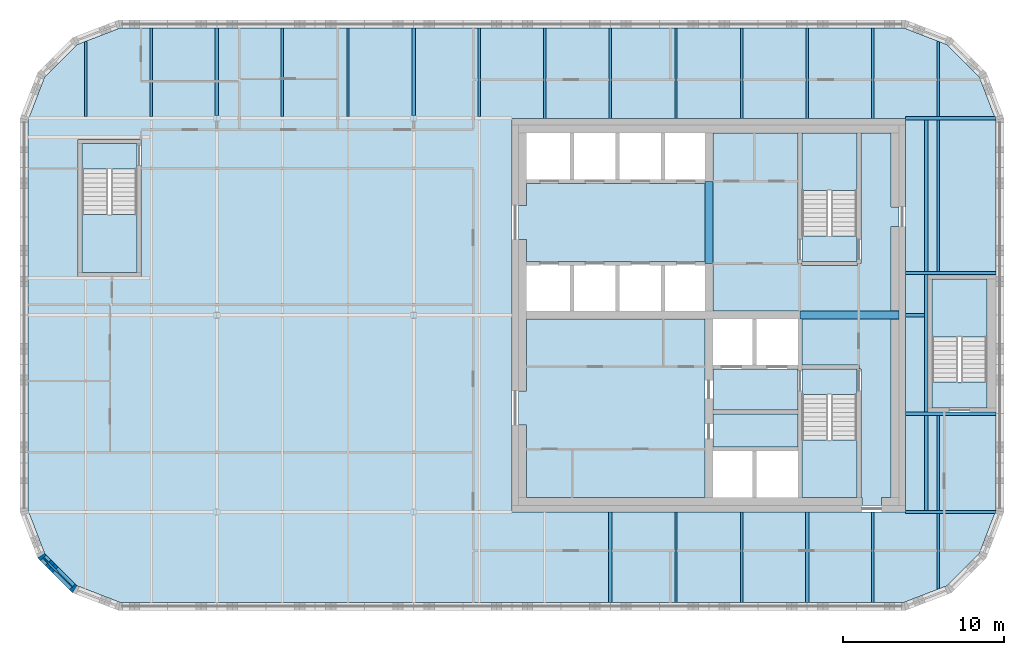
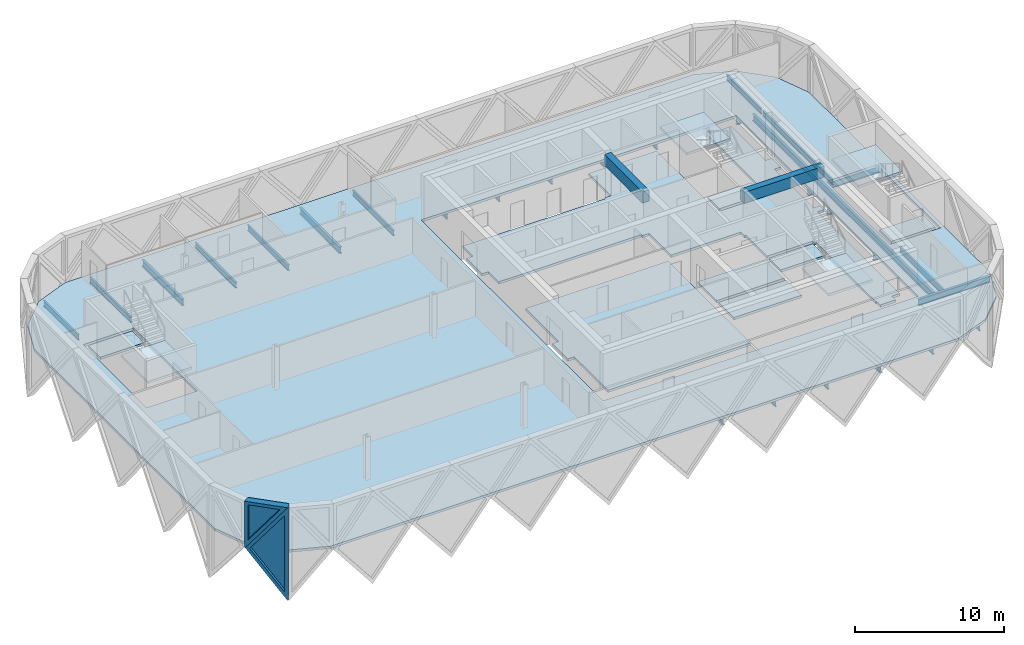
# One storey, part 2 of 12: 30 beams, 13 slabs, 2 plates, 2 walls, 2 openings, 4 elements without a shape of their own.
"""IFC4 building model written with IfcOpenShell, lengths in metres."""

import ifcopenshell
import ifcopenshell.guid

model = None  # the IFC model being written
_history = None  # IfcOwnerHistory: only IFC2X3 demands one
_inside = {}  # id of a spatial element -> (the spatial element, [elements in it])
_under = {}  # id of a project, library or spatial element -> (it, [spatial elements below it])
_declared = {}  # id of a project -> (the project, [libraries it declares])
_typed = {}  # id of a type object -> (the type object, [elements of that type])
_made_of = {}  # id of a material, layer set ... -> (it, [elements and type objects made of it])


def new_model(schema):
    """Start an empty IFC model of exactly this schema.

    Asked for "IFC4X3", IfcOpenShell would pick the latest addendum, in which some entities
    have other attributes; the version numbers below select the first issue.
    IFC2X3 requires an IfcOwnerHistory on every rooted entity: one is made here for all.
    """
    global model, _history
    if schema == "IFC4X3":
        model = ifcopenshell.file(schema_version=(4, 3, 0, 0))
    else:
        model = ifcopenshell.file(schema=schema)
    _inside.clear()
    _under.clear()
    _declared.clear()
    _typed.clear()
    _made_of.clear()
    _history = None
    if model.schema == "IFC2X3":
        org = make("IfcOrganization", Name="unknown")
        user = make(
            "IfcPersonAndOrganization",
            ThePerson=make("IfcPerson", FamilyName="unknown"),
            TheOrganization=org,
        )
        app = make(
            "IfcApplication",
            ApplicationDeveloper=org,
            Version="unknown",
            ApplicationFullName="unknown",
            ApplicationIdentifier="unknown",
        )
        _history = make(
            "IfcOwnerHistory",
            OwningUser=user,
            OwningApplication=app,
            ChangeAction="ADDED",
            CreationDate=0,
        )
    return model


def make(cls, **values):
    """One entity of the class cls with the attributes given. An attribute that is None is left unset."""
    return model.create_entity(
        cls, **{name: value for name, value in values.items() if value is not None}
    )


def rooted(cls, **values):
    """An entity with a GlobalId (a new one), such as an element, a storey or a relation."""
    return make(cls, GlobalId=ifcopenshell.guid.new(), OwnerHistory=_history, **values)


def si_unit(unit_type, name, prefix=None):
    """IfcSIUnit, for example si_unit("LENGTHUNIT", "METRE", prefix="MILLI")."""
    return make("IfcSIUnit", UnitType=unit_type, Prefix=prefix, Name=name)


def assignment(units):
    """IfcUnitAssignment: the units of a project."""
    return None if units is None else make("IfcUnitAssignment", Units=units)


def point(xyz):
    """IfcCartesianPoint."""
    return None if xyz is None else make("IfcCartesianPoint", Coordinates=xyz)


def direction(xyz):
    """IfcDirection."""
    return None if xyz is None else make("IfcDirection", DirectionRatios=xyz)


def frame(location, z_axis=None, x_axis=None):
    """IfcAxis2Placement3D, a coordinate frame: its origin and axes. An axis left out is left unset."""
    return make(
        "IfcAxis2Placement3D",
        Location=point(location),
        Axis=direction(z_axis),
        RefDirection=direction(x_axis),
    )


def frame_2d(location, x_axis=None):
    """IfcAxis2Placement2D, a coordinate frame in the plane: its origin and x axis."""
    return make(
        "IfcAxis2Placement2D", Location=point(location), RefDirection=direction(x_axis)
    )


def origin():
    """The frame at (0, 0, 0) with its axes left unset."""
    return frame((0.0, 0.0, 0.0))


def origin_2d():
    """The frame at (0, 0) in the plane with its x axis left unset."""
    return frame_2d((0.0, 0.0))


def place(relative_to, where):
    """IfcLocalPlacement: puts the frame where relative to a parent placement (None: the world)."""
    return make(
        "IfcLocalPlacement", PlacementRelTo=relative_to, RelativePlacement=where
    )


def context(
    kind, dimensions, precision=None, world=None, true_north=None, identifier=None
):
    """IfcGeometricRepresentationContext, for example the 3D "Model" context."""
    return make(
        "IfcGeometricRepresentationContext",
        ContextIdentifier=identifier,
        ContextType=kind,
        CoordinateSpaceDimension=dimensions,
        Precision=precision,
        WorldCoordinateSystem=world,
        TrueNorth=true_north,
    )


def subcontext(parent, identifier, kind, view, scale=None):
    """IfcGeometricRepresentationSubContext, for example "Body" below "Model"."""
    return make(
        "IfcGeometricRepresentationSubContext",
        ContextIdentifier=identifier,
        ContextType=kind,
        ParentContext=parent,
        TargetScale=scale,
        TargetView=view,
    )


def project(units=None, contexts=None):
    """IfcProject with its units and contexts."""
    return rooted(
        "IfcProject",
        Name="project",
        RepresentationContexts=contexts,
        UnitsInContext=assignment(units),
    )


def spatial(cls, under=None, at=None, **own):
    """A site, building, storey or space (cls), placed at a placement, below another one or the project."""
    s = rooted(cls, ObjectPlacement=at, **own)
    if under is not None:
        _under.setdefault(under.id(), (under, []))[1].append(s)
    return s


def polyline(points):
    """IfcPolyline through the points."""
    return make("IfcPolyline", Points=[point(p) for p in points])


def profile(cls, at=None, kind="AREA", **sizes):
    """A parametric profile (cls). Its sizes go by their IFC names, for example OverallWidth=200.0."""
    return make(cls, ProfileType=kind, Position=at, **sizes)


def rectangle(**sizes):
    """IfcRectangleProfileDef."""
    return profile("IfcRectangleProfileDef", **sizes)


def i_section(**sizes):
    """IfcIShapeProfileDef."""
    return profile("IfcIShapeProfileDef", **sizes)


def outline(outer, holes=None, kind="AREA"):
    """IfcArbitraryClosedProfileDef: a profile drawn as a closed curve; with holes, ...WithVoids."""
    if holes is None:
        return make("IfcArbitraryClosedProfileDef", ProfileType=kind, OuterCurve=outer)
    return make(
        "IfcArbitraryProfileDefWithVoids",
        ProfileType=kind,
        OuterCurve=outer,
        InnerCurves=holes,
    )


def extrude(swept, where, along, depth):
    """IfcExtrudedAreaSolid: the profile swept, set in the frame where, extruded along a direction by depth."""
    return make(
        "IfcExtrudedAreaSolid",
        SweptArea=swept,
        Position=where,
        ExtrudedDirection=direction(along),
        Depth=depth,
    )


def faces_of(points, faces, orient=None, outer=None):
    """IfcFace entities. A face is a list of loops; a loop is a list of indices into points, from 0.

    orient and outer hold one flag for each loop. By default every Orientation is true, the
    first loop of a face is its IfcFaceOuterBound and the others are IfcFaceBound.
    """
    made = []
    for i, loops in enumerate(faces):
        bounds = []
        for j, loop in enumerate(loops):
            is_outer = j == 0 if outer is None else outer[i][j]
            bounds.append(
                make(
                    "IfcFaceOuterBound" if is_outer else "IfcFaceBound",
                    Bound=make("IfcPolyLoop", Polygon=[points[k] for k in loop]),
                    Orientation=True if orient is None else orient[i][j],
                )
            )
        made.append(make("IfcFace", Bounds=bounds))
    return made


def faceted_brep(points, faces, orient=None, outer=None, voids=None):
    """IfcFacetedBrep: a solid bounded by flat faces; with voids (closed shells), ...WithVoids."""
    shared = [point(p) for p in points]
    hull = make("IfcClosedShell", CfsFaces=faces_of(shared, faces, orient, outer))
    if voids is None:
        return make("IfcFacetedBrep", Outer=hull)
    return make(
        "IfcFacetedBrepWithVoids",
        Outer=hull,
        Voids=[
            make(cls, CfsFaces=faces_of(shared, fs, o, b)) for cls, fs, o, b in voids
        ],
    )


def shape(context_of_items, identifier, shape_type, items):
    """IfcShapeRepresentation: the items that make up one representation, for example the "Body"."""
    return make(
        "IfcShapeRepresentation",
        ContextOfItems=context_of_items,
        RepresentationIdentifier=identifier,
        RepresentationType=shape_type,
        Items=items,
    )


def source(mapping_origin, context_of_items, identifier, shape_type, items):
    """IfcRepresentationMap: a shape defined once, which mapped items show again and again."""
    return make(
        "IfcRepresentationMap",
        MappingOrigin=mapping_origin,
        MappedRepresentation=shape(context_of_items, identifier, shape_type, items),
    )


def transform(
    local_origin,
    x_axis=None,
    y_axis=None,
    z_axis=None,
    scale=None,
    scale2=None,
    scale3=None,
    uniform=True,
):
    """IfcCartesianTransformationOperator3D, or its non-uniform kind. x_axis, y_axis, z_axis: its Axis1, 2, 3."""
    if uniform:
        return make(
            "IfcCartesianTransformationOperator3D",
            Axis1=direction(x_axis),
            Axis2=direction(y_axis),
            LocalOrigin=point(local_origin),
            Scale=scale,
            Axis3=direction(z_axis),
        )
    return make(
        "IfcCartesianTransformationOperator3DnonUniform",
        Axis1=direction(x_axis),
        Axis2=direction(y_axis),
        LocalOrigin=point(local_origin),
        Scale=scale,
        Axis3=direction(z_axis),
        Scale2=scale2,
        Scale3=scale3,
    )


def mapped(mapping_source, mapping_target):
    """IfcMappedItem: shows the shape of a source again, moved by a transform."""
    return make(
        "IfcMappedItem", MappingSource=mapping_source, MappingTarget=mapping_target
    )


def material(Name=None, Category=None):
    """IfcMaterial."""
    return make("IfcMaterial", Name=Name, Category=Category)


def layer(
    of_material, thickness, ventilated=None, Name=None, Category=None, Priority=None
):
    """IfcMaterialLayer: one layer of a wall or slab, of a material (None: an air gap)."""
    return make(
        "IfcMaterialLayer",
        Material=of_material,
        LayerThickness=thickness,
        IsVentilated=ventilated,
        Name=Name,
        Category=Category,
        Priority=Priority,
    )


def layer_set(layers, Name=None):
    """IfcMaterialLayerSet."""
    return make("IfcMaterialLayerSet", MaterialLayers=layers, LayerSetName=Name)


def material_profile(
    of_material, cross_section, Name=None, Category=None, Priority=None
):
    """IfcMaterialProfile: a cross section and its material."""
    return make(
        "IfcMaterialProfile",
        Name=Name,
        Material=of_material,
        Profile=cross_section,
        Priority=Priority,
        Category=Category,
    )


def profile_set(profiles, Name=None, composite=None):
    """IfcMaterialProfileSet."""
    return make(
        "IfcMaterialProfileSet",
        Name=Name,
        MaterialProfiles=profiles,
        CompositeProfile=composite,
    )


def made_of(thing, what):
    """Note that an element or type object is made of a material, layer set ...; save() writes the relation."""
    if what is not None:
        _made_of.setdefault(what.id(), (what, []))[1].append(thing)
    return thing


def type_object(cls, material=None, **own):
    """A type object (cls), such as IfcWallType, which elements share."""
    return made_of(rooted(cls, **own), material)


def element(
    cls,
    number,
    at=None,
    inside=None,
    cuts=None,
    type_object=None,
    material=None,
    context=None,
    identifier="Body",
    shape_type=None,
    held_by="IfcProductDefinitionShape",
    body=None,
    shapes=None,
    **own,
):
    """One element of the class cls, such as IfcWall. Its Tag is "e" and its number.

    at: its placement. inside: the storey or other place that contains it. cuts: it is an
    opening in that element (IfcRelVoidsElement). A single representation is given by context,
    identifier, shape_type and body (its items); several are given by shapes. held_by: the class
    of the entity that holds the representations. save() writes the other relations.
    """
    e = rooted(cls, Tag="e%d" % number, ObjectPlacement=at, **own)
    if body is not None:
        shapes = [shape(context, identifier, shape_type, body)]
    if shapes is not None:
        e.Representation = make(held_by, Representations=shapes)
    if inside is not None:
        _inside.setdefault(inside.id(), (inside, []))[1].append(e)
    if cuts is not None:
        rooted(
            "IfcRelVoidsElement", RelatingBuildingElement=cuts, RelatedOpeningElement=e
        )
    if type_object is not None:
        _typed.setdefault(type_object.id(), (type_object, []))[1].append(e)
    return made_of(e, material)


def fill(opening, filler):
    """IfcRelFillsElement: the door or window that sits in an opening."""
    return rooted(
        "IfcRelFillsElement",
        RelatingOpeningElement=opening,
        RelatedBuildingElement=filler,
    )


def aggregate(whole, parts):
    """IfcRelAggregates: a whole, such as a stair, and the parts it consists of."""
    return rooted("IfcRelAggregates", RelatingObject=whole, RelatedObjects=parts)


def save(model, path):
    """Write the relations noted so far, then the file.

    IfcRelAggregates (storeys below a building ...), IfcRelContainedInSpatialStructure (elements
    in a storey), IfcRelDefinesByType, IfcRelAssociatesMaterial and IfcRelDeclares: one each for
    every whole, place, type object, material and project.
    """
    for whole, parts in _under.values():
        aggregate(whole, parts)
    for where, things in _inside.values():
        rooted(
            "IfcRelContainedInSpatialStructure",
            RelatedElements=things,
            RelatingStructure=where,
        )
    for kind, things in _typed.values():
        rooted("IfcRelDefinesByType", RelatedObjects=things, RelatingType=kind)
    for what, things in _made_of.values():
        rooted("IfcRelAssociatesMaterial", RelatedObjects=things, RelatingMaterial=what)
    for by, libraries in _declared.values():
        rooted("IfcRelDeclares", RelatingContext=by, RelatedDefinitions=libraries)
    model.write(path)


model = new_model("IFC4")

# Units and contexts
model_context = context("Model", 3, precision=1e-05, world=origin(), true_north=direction((0.0, 1.0)))
body_context = subcontext(model_context, "Body", "Model", "MODEL_VIEW")
ifc_project = project(units=[si_unit("LENGTHUNIT", "METRE"), si_unit("AREAUNIT", "SQUARE_METRE"), si_unit("VOLUMEUNIT", "CUBIC_METRE"), si_unit("PLANEANGLEUNIT", "RADIAN"), si_unit("MASSUNIT", "GRAM", prefix="KILO")], contexts=[model_context])

# Site, building, storey
site_placement = place(None, origin())
site = spatial("IfcSite", under=ifc_project, at=site_placement, CompositionType="ELEMENT")
building_placement = place(site_placement, origin())
building = spatial("IfcBuilding", under=site, at=building_placement, Name="Tessera Gate Towers", CompositionType="ELEMENT")
storey_placement = place(building_placement, frame((0.0, 0.0, 255.89990234375)))
storey = spatial("IfcBuildingStorey", under=building, at=storey_placement, Name="L64", CompositionType="ELEMENT", Elevation=255.89990234375)

# Beams
ifc_material_1 = material(Name="Concrete C40/50", Category="concrete")
ifc_material_profile_1 = material_profile(ifc_material_1, rectangle(XDim=0.5, YDim=0.89990234375, at=origin_2d()), Name="RC 500x900")
ifc_profile_set_1 = profile_set([ifc_material_profile_1], Name="Concrete C40/50")
beam_type_1 = type_object("IfcBeamType", Name="COUPLING BEAM 500x900 C40/50", PredefinedType="BEAM", material=ifc_profile_set_1)
beam_1_placement = place(storey_placement, frame((48.35009765625, 36.60009765625, 3.10009765625), z_axis=(1.0, 0.0, 0.0), x_axis=(0.0, 1.0, 0.0)))
element("IfcBeam", 1, at=beam_1_placement, inside=storey, type_object=beam_type_1, Name="L64 coupling beam 1", PredefinedType="BEAM", context=body_context, shape_type="SweptSolid", body=[
    extrude(rectangle(XDim=0.5, YDim=0.89990234375, at=origin_2d()), origin(), (0.0, 0.0, 1.0), 6.14990234375),
])
beam_2_placement = place(storey_placement, frame((42.699951171875, 39.800048828125, 3.10009765625), z_axis=(0.0, 1.0, 0.0), x_axis=(-1.0, 0.0, 0.0)))
element("IfcBeam", 2, at=beam_2_placement, inside=storey, type_object=beam_type_1, Name="L64 coupling beam 2", PredefinedType="BEAM", context=body_context, shape_type="SweptSolid", body=[
    extrude(rectangle(XDim=0.5, YDim=0.89990234375, at=origin_2d()), origin(), (0.0, 0.0, 1.0), 5.099853515625),
])
ifc_material_2 = material(Name="Steel 350W", Category="steel")
ifc_material_profile_2 = material_profile(ifc_material_2, i_section(OverallWidth=0.208984375, OverallDepth=0.532958984375, WebThickness=0.01025390625, FlangeThickness=0.015625, at=origin_2d()), Name="W530x92")
ifc_profile_set_2 = profile_set([ifc_material_profile_2], Name="Steel 350W")
beam_type_2 = type_object("IfcBeamType", Name="FLOOR GIRDER W530x92", PredefinedType="BEAM", material=ifc_profile_set_2)
beam_3_placement = place(storey_placement, frame((54.90087890625, 24.39990234375, -0.46630859375), z_axis=(1.0, 0.0, 0.0), x_axis=(0.0, 1.0, 0.0)))
element("IfcBeam", 3, at=beam_3_placement, inside=storey, type_object=beam_type_2, Name="T1-GD-L64-6250", PredefinedType="BEAM", context=body_context, shape_type="SweptSolid", body=[
    extrude(i_section(OverallWidth=0.208984375, OverallDepth=0.532958984375, WebThickness=0.01025390625, FlangeThickness=0.015625, at=origin_2d()), origin(), (0.0, 0.0, 1.0), 5.564208984375),
])
beam_4_placement = place(storey_placement, frame((54.89892578125, 36.60009765625, -0.46630859375), z_axis=(1.0, 0.0, 0.0), x_axis=(0.0, 1.0, 0.0)))
element("IfcBeam", 4, at=beam_4_placement, inside=storey, type_object=beam_type_2, Name="T1-GD-L64-6254", PredefinedType="BEAM", context=body_context, shape_type="SweptSolid", body=[
    extrude(i_section(OverallWidth=0.208984375, OverallDepth=0.532958984375, WebThickness=0.01025390625, FlangeThickness=0.015625, at=origin_2d()), origin(), (0.0, 0.0, 1.0), 1.176513671875),
])
beam_5_placement = place(storey_placement, frame((54.90087890625, 48.800048828125, -0.46630859375), z_axis=(1.0, 0.0, 0.0), x_axis=(0.0, 1.0, 0.0)))
element("IfcBeam", 5, at=beam_5_placement, inside=storey, type_object=beam_type_2, Name="T1-GD-L64-6258", PredefinedType="BEAM", context=body_context, shape_type="SweptSolid", body=[
    extrude(i_section(OverallWidth=0.208984375, OverallDepth=0.532958984375, WebThickness=0.01025390625, FlangeThickness=0.015625, at=origin_2d()), origin(), (0.0, 0.0, 1.0), 5.564208984375),
])
for number, where, z_axis, x_axis, name in (
    (6, (12.199951171875, 48.984619140625, -0.46630859375), (0.0, 1.0, 0.0), (-1.0, 0.0, 0.0), "T1-GD-L64-6262"),
    (7, (24.39990234375, 48.984619140625, -0.46630859375), (0.0, 1.0, 0.0), (-1.0, 0.0, 0.0), "T1-GD-L64-6266"),
):
    element("IfcBeam", number, at=place(storey_placement, frame(where, z_axis=z_axis, x_axis=x_axis)), inside=storey, type_object=beam_type_2, Name=name, PredefinedType="BEAM", context=body_context, shape_type="SweptSolid", body=[
        extrude(i_section(OverallWidth=0.208984375, OverallDepth=0.532958984375, WebThickness=0.01025390625, FlangeThickness=0.015625, at=origin_2d()), origin(), (0.0, 0.0, 1.0), 5.416259765625),
    ])
for number, where, z_axis, x_axis, name in (
    (8, (36.60009765625, 18.799072265625, -0.46630859375), (0.0, 1.0, 0.0), (-1.0, 0.0, 0.0), "T1-GD-L64-6267"),
    (9, (48.800048828125, 18.799072265625, -0.46630859375), (0.0, 1.0, 0.0), (-1.0, 0.0, 0.0), "T1-GD-L64-6268"),
):
    element("IfcBeam", number, at=place(storey_placement, frame(where, z_axis=z_axis, x_axis=x_axis)), inside=storey, type_object=beam_type_2, Name=name, PredefinedType="BEAM", context=body_context, shape_type="SweptSolid", body=[
        extrude(i_section(OverallWidth=0.208984375, OverallDepth=0.532958984375, WebThickness=0.01025390625, FlangeThickness=0.015625, at=origin_2d()), origin(), (0.0, 0.0, 1.0), 5.600830078125),
    ])
for number, where, z_axis, x_axis, name in (
    (10, (54.89892578125, 30.47998046875, -0.46630859375), (1.0, 0.0, 0.0), (0.0, 1.0, 0.0), "T1-GD-L64-6271"),
    (11, (54.89892578125, 39.219970703125, -0.46630859375), (1.0, 0.0, 0.0), (0.0, 1.0, 0.0), "T1-GD-L64-6272"),
):
    element("IfcBeam", number, at=place(storey_placement, frame(where, z_axis=z_axis, x_axis=x_axis)), inside=storey, type_object=beam_type_2, Name=name, PredefinedType="BEAM", context=body_context, shape_type="SweptSolid", body=[
        extrude(i_section(OverallWidth=0.208984375, OverallDepth=0.532958984375, WebThickness=0.01025390625, FlangeThickness=0.015625, at=origin_2d()), origin(), (0.0, 0.0, 1.0), 5.60205078125),
    ])
beam_6_placement = place(storey_placement, frame((56.179931640625, 24.50439453125, -0.46630859375), z_axis=(0.0, 1.0, 0.0), x_axis=(-1.0, 0.0, 0.0)))
element("IfcBeam", 12, at=beam_6_placement, inside=storey, type_object=beam_type_2, Name="T1-GD-L64-6273", PredefinedType="BEAM", context=body_context, shape_type="SweptSolid", body=[
    extrude(i_section(OverallWidth=0.208984375, OverallDepth=0.532958984375, WebThickness=0.01025390625, FlangeThickness=0.015625, at=origin_2d()), origin(), (0.0, 0.0, 1.0), 24.191162109375),
])
ifc_material_3 = material(Name="Steel 350W", Category="steel")
ifc_material_profile_3 = material_profile(ifc_material_3, i_section(OverallWidth=0.153076171875, OverallDepth=0.455078125, WebThickness=0.008056640625, FlangeThickness=0.01318359375, at=origin_2d()), Name="W460x60")
ifc_profile_set_3 = profile_set([ifc_material_profile_3], Name="Steel 350W")
beam_type_3 = type_object("IfcBeamType", Name="FLOOR SECONDARY W460x60", PredefinedType="BEAM", material=ifc_profile_set_3)
beam_7_placement = place(storey_placement, frame((4.066650390625, 48.904541015625, -0.427490234375), z_axis=(0.0, 1.0, 0.0), x_axis=(-1.0, 0.0, 0.0)))
element("IfcBeam", 13, at=beam_7_placement, inside=storey, type_object=beam_type_3, Name="T1-BM-L64-6277", PredefinedType="BEAM", context=body_context, shape_type="SweptSolid", body=[
    extrude(i_section(OverallWidth=0.153076171875, OverallDepth=0.455078125, WebThickness=0.008056640625, FlangeThickness=0.01318359375, at=origin_2d()), origin(), (0.0, 0.0, 1.0), 4.675048828125),
])
for number, where, z_axis, x_axis, name in (
    (14, (8.13330078125, 48.904541015625, -0.427490234375), (0.0, 1.0, 0.0), (-1.0, 0.0, 0.0), "T1-BM-L64-6281"),
    (15, (16.2666015625, 48.904541015625, -0.427490234375), (0.0, 1.0, 0.0), (-1.0, 0.0, 0.0), "T1-BM-L64-6285"),
    (16, (20.333251953125, 48.904541015625, -0.427490234375), (0.0, 1.0, 0.0), (-1.0, 0.0, 0.0), "T1-BM-L64-6289"),
    (17, (28.466796875, 48.904541015625, -0.427490234375), (0.0, 1.0, 0.0), (-1.0, 0.0, 0.0), "T1-BM-L64-6293"),
):
    element("IfcBeam", number, at=place(storey_placement, frame(where, z_axis=z_axis, x_axis=x_axis)), inside=storey, type_object=beam_type_3, Name=name, PredefinedType="BEAM", context=body_context, shape_type="SweptSolid", body=[
        extrude(i_section(OverallWidth=0.153076171875, OverallDepth=0.455078125, WebThickness=0.008056640625, FlangeThickness=0.01318359375, at=origin_2d()), origin(), (0.0, 0.0, 1.0), 5.495361328125),
    ])
for number, where, z_axis, x_axis, name in (
    (18, (32.533203125, 48.800048828125, -0.427490234375), (0.0, 1.0, 0.0), (-1.0, 0.0, 0.0), "T1-BM-L64-6295"),
    (19, (36.60009765625, 48.800048828125, -0.427490234375), (0.0, 1.0, 0.0), (-1.0, 0.0, 0.0), "T1-BM-L64-6296"),
    (20, (40.666748046875, 18.800048828125, -0.427490234375), (0.0, 1.0, 0.0), (-1.0, 0.0, 0.0), "T1-BM-L64-6297"),
    (21, (40.666748046875, 48.800048828125, -0.427490234375), (0.0, 1.0, 0.0), (-1.0, 0.0, 0.0), "T1-BM-L64-6298"),
    (22, (44.7333984375, 18.800048828125, -0.427490234375), (0.0, 1.0, 0.0), (-1.0, 0.0, 0.0), "T1-BM-L64-6299"),
    (23, (44.7333984375, 48.800048828125, -0.427490234375), (0.0, 1.0, 0.0), (-1.0, 0.0, 0.0), "T1-BM-L64-6300"),
    (24, (48.800048828125, 48.800048828125, -0.427490234375), (0.0, 1.0, 0.0), (-1.0, 0.0, 0.0), "T1-BM-L64-6301"),
    (25, (52.86669921875, 18.800048828125, -0.427490234375), (0.0, 1.0, 0.0), (-1.0, 0.0, 0.0), "T1-BM-L64-6302"),
    (26, (52.86669921875, 48.800048828125, -0.427490234375), (0.0, 1.0, 0.0), (-1.0, 0.0, 0.0), "T1-BM-L64-6303"),
):
    element("IfcBeam", number, at=place(storey_placement, frame(where, z_axis=z_axis, x_axis=x_axis)), inside=storey, type_object=beam_type_3, Name=name, PredefinedType="BEAM", context=body_context, shape_type="SweptSolid", body=[
        extrude(i_section(OverallWidth=0.153076171875, OverallDepth=0.455078125, WebThickness=0.008056640625, FlangeThickness=0.01318359375, at=origin_2d()), origin(), (0.0, 0.0, 1.0), 5.599853515625),
    ])
beam_8_placement = place(storey_placement, frame((56.933349609375, 19.620361328125, -0.427490234375), z_axis=(0.0, 1.0, 0.0), x_axis=(-1.0, 0.0, 0.0)))
element("IfcBeam", 27, at=beam_8_placement, inside=storey, type_object=beam_type_3, Name="T1-BM-L64-6304", PredefinedType="BEAM", context=body_context, shape_type="SweptSolid", body=[
    extrude(i_section(OverallWidth=0.153076171875, OverallDepth=0.455078125, WebThickness=0.008056640625, FlangeThickness=0.01318359375, at=origin_2d()), origin(), (0.0, 0.0, 1.0), 4.675048828125),
])
beam_9_placement = place(storey_placement, frame((56.933349609375, 24.50439453125, -0.427490234375), z_axis=(0.0, 1.0, 0.0), x_axis=(-1.0, 0.0, 0.0)))
element("IfcBeam", 28, at=beam_9_placement, inside=storey, type_object=beam_type_3, Name="T1-BM-L64-6305", PredefinedType="BEAM", context=body_context, shape_type="SweptSolid", body=[
    extrude(i_section(OverallWidth=0.153076171875, OverallDepth=0.455078125, WebThickness=0.008056640625, FlangeThickness=0.01318359375, at=origin_2d()), origin(), (0.0, 0.0, 1.0), 5.87109375),
])
beam_10_placement = place(storey_placement, frame((56.933349609375, 39.324462890625, -0.427490234375), z_axis=(0.0, 1.0, 0.0), x_axis=(-1.0, 0.0, 0.0)))
element("IfcBeam", 29, at=beam_10_placement, inside=storey, type_object=beam_type_3, Name="T1-BM-L64-6306", PredefinedType="BEAM", context=body_context, shape_type="SweptSolid", body=[
    extrude(i_section(OverallWidth=0.153076171875, OverallDepth=0.455078125, WebThickness=0.008056640625, FlangeThickness=0.01318359375, at=origin_2d()), origin(), (0.0, 0.0, 1.0), 9.37109375),
])
beam_11_placement = place(storey_placement, frame((56.933349609375, 48.904541015625, -0.427490234375), z_axis=(0.0, 1.0, 0.0), x_axis=(-1.0, 0.0, 0.0)))
element("IfcBeam", 30, at=beam_11_placement, inside=storey, type_object=beam_type_3, Name="T1-BM-L64-6307", PredefinedType="BEAM", context=body_context, shape_type="SweptSolid", body=[
    extrude(i_section(OverallWidth=0.153076171875, OverallDepth=0.455078125, WebThickness=0.008056640625, FlangeThickness=0.01318359375, at=origin_2d()), origin(), (0.0, 0.0, 1.0), 4.675048828125),
])

# Slabs
ifc_material_4 = material(Name="Concrete C35/45", Category="concrete")
ifc_layer_1 = layer(ifc_material_4, 0.199951171875)
ifc_layer_set_1 = layer_set([ifc_layer_1], Name="COMPOSITE FLOOR 200")
slab_type_1 = type_object("IfcSlabType", Name="COMPOSITE FLOOR 200", PredefinedType="FLOOR", material=ifc_layer_set_1)
slab_1_placement = place(storey_placement, frame((0.0, 0.0, -0.199951171875)))
element("IfcSlab", 31, at=slab_1_placement, inside=storey, type_object=slab_type_1, Name="T1-L64", PredefinedType="FLOOR", context=body_context, shape_type="SweptSolid", body=[
    extrude(outline(polyline([(0.5, 24.4931640625), (1.526123046875, 21.8330078125), (3.533203125, 19.826171875), (6.193115234375, 18.800048828125), (54.806884765625, 18.800048828125), (57.466796875, 19.826171875), (59.473876953125, 21.8330078125), (60.5, 24.4931640625), (60.5, 48.706787109375), (59.473876953125, 51.366943359375), (57.466796875, 53.373779296875), (54.806884765625, 54.39990234375), (6.193115234375, 54.39990234375), (3.533203125, 53.373779296875), (1.526123046875, 51.366943359375), (0.5, 48.706787109375), (0.5, 24.4931640625)]), holes=[polyline([(3.60009765625, 39.0), (3.60009765625, 47.5), (7.5, 47.5), (7.5, 39.0), (3.60009765625, 39.0)]), polyline([(30.5, 24.39990234375), (30.5, 48.800048828125), (54.89990234375, 48.800048828125), (54.89990234375, 24.39990234375), (30.5, 24.39990234375)]), polyline([(56.300048828125, 30.60009765625), (56.300048828125, 39.10009765625), (60.199951171875, 39.10009765625), (60.199951171875, 30.60009765625), (56.300048828125, 30.60009765625)])]), origin(), (0.0, 0.0, 1.0), 0.199951171875),
])
ifc_material_5 = material(Name="Concrete C35/45", Category="concrete")
ifc_layer_2 = layer(ifc_material_5, 0.199951171875)
ifc_layer_set_2 = layer_set([ifc_layer_2], Name="CORE FLOOR SLAB 200")
slab_type_2 = type_object("IfcSlabType", Name="CORE FLOOR SLAB 200", PredefinedType="FLOOR", material=ifc_layer_set_2)
slab_2_placement = place(storey_placement, frame((0.0, 0.0, -0.199951171875)))
element("IfcSlab", 32, at=slab_2_placement, inside=storey, type_object=slab_type_2, Name="L64 core floor slab", PredefinedType="FLOOR", context=body_context, shape_type="SweptSolid", body=[
    extrude(outline(polyline([(42.449951171875, 44.89990234375), (42.449951171875, 44.77490234375), (31.39990234375, 44.77490234375), (31.39990234375, 43.39990234375), (30.89990234375, 43.39990234375), (30.89990234375, 41.300048828125), (31.39990234375, 41.300048828125), (31.39990234375, 39.925048828125), (42.449951171875, 39.925048828125), (42.449951171875, 39.800048828125), (42.949951171875, 39.800048828125), (42.949951171875, 36.85009765625), (48.35009765625, 36.85009765625), (48.35009765625, 36.35009765625), (48.47509765625, 36.35009765625), (48.47509765625, 33.52490234375), (52.0, 33.52490234375), (52.0, 33.27490234375), (52.125, 33.27490234375), (52.125, 25.300048828125), (52.199951171875, 25.300048828125), (52.199951171875, 24.800048828125), (53.39990234375, 24.800048828125), (53.39990234375, 25.300048828125), (54.0, 25.300048828125), (54.0, 36.320068359375), (54.5, 36.320068359375), (54.5, 36.8798828125), (54.0, 36.8798828125), (54.0, 42.10009765625), (54.5, 42.10009765625), (54.5, 43.300048828125), (54.0, 43.300048828125), (54.0, 47.89990234375), (52.125, 47.89990234375), (52.125, 39.800048828125), (51.875, 39.800048828125), (51.875, 39.675048828125), (48.47509765625, 39.675048828125), (48.47509765625, 39.800048828125), (48.22509765625, 39.800048828125), (48.22509765625, 47.89990234375), (42.949951171875, 47.89990234375), (42.949951171875, 44.89990234375), (42.449951171875, 44.89990234375)])), origin(), (0.0, 0.0, 1.0), 0.199951171875),
])
slab_3_placement = place(storey_placement, frame((0.0, 0.0, -0.199951171875)))
element("IfcSlab", 33, at=slab_3_placement, inside=storey, type_object=slab_type_2, Name="L64 core floor slab", PredefinedType="FLOOR", context=body_context, shape_type="SweptSolid", body=[
    extrude(outline(polyline([(31.39990234375, 36.35009765625), (31.39990234375, 31.89990234375), (30.89990234375, 31.89990234375), (30.89990234375, 29.800048828125), (31.39990234375, 29.800048828125), (31.39990234375, 25.300048828125), (42.449951171875, 25.300048828125), (42.449951171875, 36.35009765625), (31.39990234375, 36.35009765625)])), origin(), (0.0, 0.0, 1.0), 0.199951171875),
])
slab_4_placement = place(storey_placement, frame((0.0, 0.0, -0.199951171875)))
element("IfcSlab", 34, at=slab_4_placement, inside=storey, type_object=slab_type_2, Name="L64 core floor slab", PredefinedType="FLOOR", context=body_context, shape_type="SweptSolid", body=[
    extrude(outline(polyline([(42.949951171875, 33.27490234375), (42.949951171875, 30.72509765625), (48.22509765625, 30.72509765625), (48.22509765625, 33.27490234375), (42.949951171875, 33.27490234375)])), origin(), (0.0, 0.0, 1.0), 0.199951171875),
])
slab_5_placement = place(storey_placement, frame((0.0, 0.0, -0.199951171875)))
element("IfcSlab", 35, at=slab_5_placement, inside=storey, type_object=slab_type_2, Name="L64 core floor slab", PredefinedType="FLOOR", context=body_context, shape_type="SweptSolid", body=[
    extrude(outline(polyline([(48.22509765625, 30.47509765625), (42.949951171875, 30.47509765625), (42.949951171875, 28.425048828125), (48.22509765625, 28.425048828125), (48.22509765625, 30.47509765625)])), origin(), (0.0, 0.0, 1.0), 0.199951171875),
])
slab_6_placement = place(storey_placement, frame((0.0, 0.0, -0.199951171875)))
element("IfcSlab", 36, at=slab_6_placement, inside=storey, type_object=slab_type_2, Name="L64 core floor slab", PredefinedType="FLOOR", context=body_context, shape_type="SweptSolid", body=[
    extrude(outline(polyline([(51.875, 31.675048828125), (51.875, 33.27490234375), (48.47509765625, 33.27490234375), (48.47509765625, 31.675048828125), (51.875, 31.675048828125)])), origin(), (0.0, 0.0, 1.0), 0.199951171875),
])
slab_7_placement = place(storey_placement, frame((0.0, 0.0, -0.199951171875)))
element("IfcSlab", 37, at=slab_7_placement, inside=storey, type_object=slab_type_2, Name="L64 core floor slab", PredefinedType="FLOOR", context=body_context, shape_type="SweptSolid", body=[
    extrude(outline(polyline([(48.47509765625, 41.52490234375), (48.47509765625, 39.925048828125), (51.875, 39.925048828125), (51.875, 41.52490234375), (48.47509765625, 41.52490234375)])), origin(), (0.0, 0.0, 1.0), 0.199951171875),
])
slab_8_placement = place(storey_placement, frame((0.0, 0.0, -0.199951171875)))
element("IfcSlab", 38, at=slab_8_placement, inside=storey, type_object=slab_type_2, Name="L64 ST3 floor landing", PredefinedType="FLOOR", context=body_context, shape_type="SweptSolid", body=[
    extrude(outline(polyline([(3.85009765625, 47.25), (3.85009765625, 45.64990234375), (7.25, 45.64990234375), (7.25, 47.25), (3.85009765625, 47.25)])), origin(), (0.0, 0.0, 1.0), 0.199951171875),
])
slab_9_placement = place(storey_placement, frame((0.0, 0.0, -0.199951171875)))
element("IfcSlab", 39, at=slab_9_placement, inside=storey, type_object=slab_type_2, Name="L64 ST5 floor landing", PredefinedType="FLOOR", context=body_context, shape_type="SweptSolid", body=[
    extrude(outline(polyline([(59.949951171875, 30.85009765625), (59.949951171875, 32.449951171875), (56.550048828125, 32.449951171875), (56.550048828125, 30.85009765625), (59.949951171875, 30.85009765625)])), origin(), (0.0, 0.0, 1.0), 0.199951171875),
])

# Stair, slab
ifc_material_6 = material(Name="Concrete C40/50", Category="concrete")
stair_type_1 = type_object("IfcStairType", Name="EXIT STAIR ST1 1600", PredefinedType="HALF_TURN_STAIR", material=ifc_material_6)
stair_1_placement = place(storey_placement, origin())
stair_1 = element("IfcStair", 40, at=stair_1_placement, inside=storey, type_object=stair_type_1, Name="L64 Protected Exit Stair ST1", PredefinedType="HALF_TURN_STAIR")
ifc_material_7 = material(Name="Concrete C40/50", Category="concrete")
ifc_layer_3 = layer(ifc_material_7, 0.199951171875)
ifc_layer_set_3 = layer_set([ifc_layer_3], Name="EXIT STAIR LANDING 200")
slab_type_3 = type_object("IfcSlabType", Name="EXIT STAIR LANDING 200", PredefinedType="LANDING", material=ifc_layer_set_3)
slab_10_placement = place(storey_placement, frame((0.0, 0.0, 1.7001953125)))
slab_10 = element("IfcSlab", 41, at=slab_10_placement, type_object=slab_type_3, Name="ST1 landing 1", PredefinedType="LANDING", context=body_context, shape_type="SweptSolid", body=[
    extrude(outline(polyline([(48.47509765625, 28.875), (48.47509765625, 25.300048828125), (51.875, 25.300048828125), (51.875, 28.875), (48.47509765625, 28.875)])), origin(), (0.0, 0.0, 1.0), 0.199951171875),
])
aggregate(stair_1, [slab_10])

ifc_material_8 = material(Name="Concrete C40/50", Category="concrete")
stair_type_2 = type_object("IfcStairType", Name="EXIT STAIR ST2 1600", PredefinedType="HALF_TURN_STAIR", material=ifc_material_8)
stair_2_placement = place(storey_placement, origin())
stair_2 = element("IfcStair", 42, at=stair_2_placement, inside=storey, type_object=stair_type_2, Name="L64 Protected Exit Stair ST2", PredefinedType="HALF_TURN_STAIR")
slab_11_placement = place(storey_placement, frame((0.0, 0.0, 1.7001953125)))
slab_11 = element("IfcSlab", 43, at=slab_11_placement, type_object=slab_type_3, Name="ST2 landing 1", PredefinedType="LANDING", context=body_context, shape_type="SweptSolid", body=[
    extrude(outline(polyline([(51.875, 44.324951171875), (51.875, 47.89990234375), (48.47509765625, 47.89990234375), (48.47509765625, 44.324951171875), (51.875, 44.324951171875)])), origin(), (0.0, 0.0, 1.0), 0.199951171875),
])
aggregate(stair_2, [slab_11])

ifc_material_9 = material(Name="Concrete C40/50", Category="concrete")
stair_type_3 = type_object("IfcStairType", Name="EXIT STAIR ST3 1600", PredefinedType="HALF_TURN_STAIR", material=ifc_material_9)
stair_3_placement = place(storey_placement, origin())
stair_3 = element("IfcStair", 44, at=stair_3_placement, inside=storey, type_object=stair_type_3, Name="L64 West Exit Stair ST3", PredefinedType="HALF_TURN_STAIR")
slab_12_placement = place(storey_placement, frame((0.0, 0.0, 1.7001953125)))
slab_12 = element("IfcSlab", 45, at=slab_12_placement, type_object=slab_type_3, Name="ST3 landing 1", PredefinedType="LANDING", context=body_context, shape_type="SweptSolid", body=[
    extrude(outline(polyline([(3.85009765625, 42.85009765625), (3.85009765625, 39.25), (7.25, 39.25), (7.25, 42.85009765625), (3.85009765625, 42.85009765625)])), origin(), (0.0, 0.0, 1.0), 0.199951171875),
])
aggregate(stair_3, [slab_12])

ifc_material_10 = material(Name="Concrete C40/50", Category="concrete")
stair_type_4 = type_object("IfcStairType", Name="EXIT STAIR ST5 1600", PredefinedType="HALF_TURN_STAIR", material=ifc_material_10)
stair_4_placement = place(storey_placement, origin())
stair_4 = element("IfcStair", 46, at=stair_4_placement, inside=storey, type_object=stair_type_4, Name="L64 East Exit Stair ST5", PredefinedType="HALF_TURN_STAIR")
slab_13_placement = place(storey_placement, frame((0.0, 0.0, 1.7001953125)))
slab_13 = element("IfcSlab", 47, at=slab_13_placement, type_object=slab_type_3, Name="ST5 landing 1", PredefinedType="LANDING", context=body_context, shape_type="SweptSolid", body=[
    extrude(outline(polyline([(59.949951171875, 35.25), (59.949951171875, 38.85009765625), (56.550048828125, 38.85009765625), (56.550048828125, 35.25), (59.949951171875, 35.25)])), origin(), (0.0, 0.0, 1.0), 0.199951171875),
])
aggregate(stair_4, [slab_13])

# Wall, opening, plate
ifc_material_11 = material(Name="Precast concrete C60/75 white", Category="concrete")
ifc_layer_4 = layer(ifc_material_11, 0.5)
ifc_layer_set_4 = layer_set([ifc_layer_4], Name="TS3 corner tessera")
wall_type = type_object("IfcWallType", Name="TS3 corner tessera", PredefinedType="SOLIDWALL", material=ifc_layer_set_4)
shared_shape_1 = source(origin(), body_context, "Body", "Brep", [
    faceted_brep([(2.944091796875, -0.25, 0.0), (2.9970703125, -0.25, 0.068115234375), (2.9970703125, -0.25, 7.53173828125), (2.944091796875, -0.25, 7.599853515625), (0.0, -0.25, 3.7998046875), (0.052978515625, 0.25, 3.8681640625), (2.89111328125, 0.25, 7.53173828125), (2.89111328125, 0.25, 0.068115234375), (0.052978515625, 0.25, 3.7314453125), (2.944091796875, 0.000244140625, 0.0), (2.944091796875, 0.000244140625, 7.599853515625), (0.0, 0.0, 3.7998046875)], [[[0, 1, 2, 3, 4]], [[5, 6, 7, 8]], [[1, 0, 9]], [[10, 3, 2]], [[6, 5, 11, 4, 3, 10]], [[8, 7, 9, 0, 4, 11]], [[8, 11, 5]], [[1, 9, 7, 6, 10, 2]]]),
])
wall_1_placement = place(storey_placement, frame((1.31201171875, 21.69384765625, -3.7998046875), z_axis=(0.0, 0.0, 1.0), x_axis=(0.707066050402, -0.707147509625, 0.0)))
wall_1 = element("IfcWall", 48, at=wall_1_placement, inside=storey, type_object=wall_type, Name="Precast corner tessera T1 TS3-1463", PredefinedType="SOLIDWALL", context=body_context, shape_type="MappedRepresentation", body=[
    mapped(shared_shape_1, transform((0.0, 0.0, 0.0), scale=1.0)),
])
shared_shape_2 = source(origin(), body_context, "Body", "SweptSolid", [
    extrude(outline(polyline([(2.744140625, 6.93359375), (0.316162109375, 3.7998046875), (2.744140625, 0.666259765625), (2.744140625, 6.93359375)])), frame((0.0, 0.260009765625, 0.0), z_axis=(0.0, -1.0, 0.0), x_axis=(1.0, 0.0, 0.0)), (0.0, 0.0, 1.0), 0.52001953125),
])
opening_1_placement = place(wall_1_placement, origin())
opening_1 = element("IfcOpeningElement", 49, at=opening_1_placement, cuts=wall_1, Name="Opening T1-PL2-2307", PredefinedType="OPENING", context=body_context, shape_type="MappedRepresentation", body=[
    mapped(shared_shape_2, transform((0.0, 0.0, 0.0), scale=1.0)),
])
ifc_material_12 = material(Name="Low-e laminated glass", Category="glass")
ifc_layer_5 = layer(ifc_material_12, 0.06005859375)
ifc_layer_set_5 = layer_set([ifc_layer_5], Name="PL2 rhombic pane")
plate_type_1 = type_object("IfcPlateType", Name="PL2 rhombic pane", PredefinedType="SHEET", material=ifc_layer_set_5)
shared_shape_3 = source(origin(), body_context, "Body", "SweptSolid", [
    extrude(outline(polyline([(2.744140625, 6.93359375), (0.316162109375, 3.7998046875), (2.744140625, 0.666259765625), (2.744140625, 6.93359375)])), frame((0.0, 0.030029296875, 0.0), z_axis=(0.0, -1.0, 0.0), x_axis=(1.0, 0.0, 0.0)), (0.0, 0.0, 1.0), 0.06005859375),
])
plate_1_placement = place(opening_1_placement, origin())
plate_1 = element("IfcPlate", 50, at=plate_1_placement, inside=storey, type_object=plate_type_1, Name="Glass pane T1 PL2-2307", PredefinedType="SHEET", context=body_context, shape_type="MappedRepresentation", body=[
    mapped(shared_shape_3, transform((0.0, 0.0, 0.0), scale=1.0)),
])
fill(opening_1, plate_1)

shared_shape_4 = source(origin(), body_context, "Body", "Brep", [
    faceted_brep([(0.052978515625, -0.25, 0.0), (2.9970703125, -0.25, 3.800048828125), (0.0, -0.25, 3.800048828125), (0.0, -0.25, 0.068115234375), (0.10595703125, 0.25, 3.800048828125), (2.944091796875, 0.25, 3.800048828125), (2.944091796875, 0.25, 3.73193359375), (0.10595703125, 0.25, 0.068359375), (2.9970703125, 0.000244140625, 3.800048828125), (0.052978515625, 0.0, 0.0)], [[[0, 1, 2, 3]], [[4, 5, 6, 7]], [[7, 6, 8, 1, 0, 9]], [[5, 4, 2, 1, 8]], [[9, 0, 3]], [[7, 9, 3, 2, 4]], [[6, 5, 8]]]),
])
wall_2_placement = place(storey_placement, frame((1.2744140625, 21.731201171875, 0.0), z_axis=(0.0, 0.0, 1.0), x_axis=(0.707147509625, -0.707066050402, 0.0)))
wall_2 = element("IfcWall", 51, at=wall_2_placement, inside=storey, type_object=wall_type, Name="Precast corner tessera T1 TS3-1480", PredefinedType="SOLIDWALL", context=body_context, shape_type="MappedRepresentation", body=[
    mapped(shared_shape_4, transform((0.0, 0.0, 0.0), scale=1.0)),
])
shared_shape_5 = source(origin(), body_context, "Body", "SweptSolid", [
    extrude(outline(polyline([(0.2529296875, 0.66650390625), (2.487060546875, 3.550048828125), (0.2529296875, 3.550048828125), (0.2529296875, 0.66650390625)])), frame((0.0, 0.260009765625, 0.0), z_axis=(0.0, -1.0, 0.0), x_axis=(1.0, 0.0, 0.0)), (0.0, 0.0, 1.0), 0.52001953125),
])
opening_2_placement = place(wall_2_placement, origin())
opening_2 = element("IfcOpeningElement", 52, at=opening_2_placement, cuts=wall_2, Name="Opening T1-PL1-0645", PredefinedType="OPENING", context=body_context, shape_type="MappedRepresentation", body=[
    mapped(shared_shape_5, transform((0.0, 0.0, 0.0), scale=1.0)),
])
ifc_material_13 = material(Name="Low-e laminated glass", Category="glass")
ifc_layer_6 = layer(ifc_material_13, 0.06005859375)
ifc_layer_set_6 = layer_set([ifc_layer_6], Name="PL1 triangular pane")
plate_type_2 = type_object("IfcPlateType", Name="PL1 triangular pane", PredefinedType="SHEET", material=ifc_layer_set_6)
shared_shape_6 = source(origin(), body_context, "Body", "SweptSolid", [
    extrude(outline(polyline([(0.2529296875, 0.66650390625), (2.487060546875, 3.550048828125), (0.2529296875, 3.550048828125), (0.2529296875, 0.66650390625)])), frame((0.0, 0.030029296875, 0.0), z_axis=(0.0, -1.0, 0.0), x_axis=(1.0, 0.0, 0.0)), (0.0, 0.0, 1.0), 0.06005859375),
])
plate_2_placement = place(opening_2_placement, origin())
plate_2 = element("IfcPlate", 53, at=plate_2_placement, inside=storey, type_object=plate_type_2, Name="Glass pane T1 PL1-0645", PredefinedType="SHEET", context=body_context, shape_type="MappedRepresentation", body=[
    mapped(shared_shape_6, transform((0.0, 0.0, 0.0), scale=1.0)),
])
fill(opening_2, plate_2)

save(model, "model.ifc")
